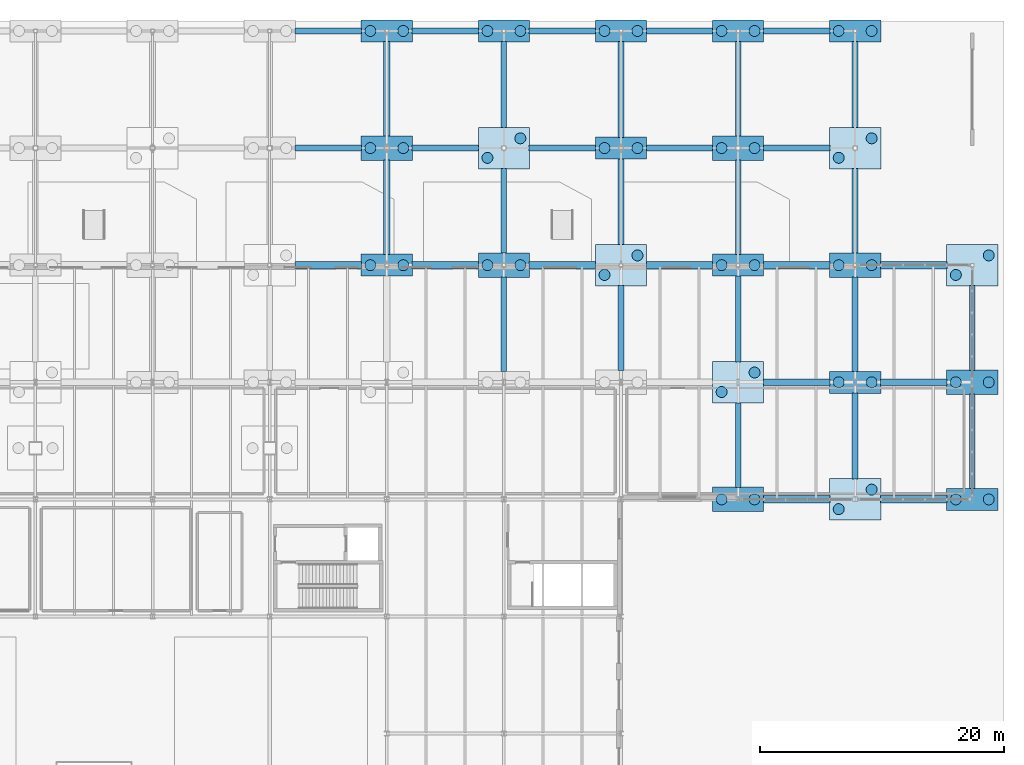
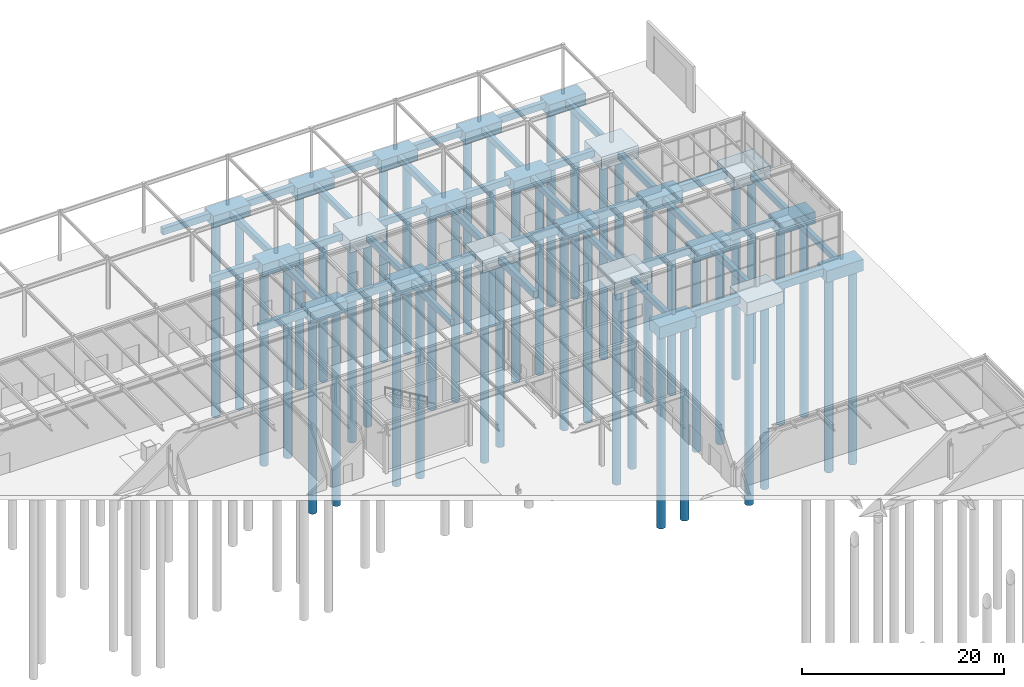
# One storey, part 5 of 142: 60 footings, 44 piles.
"""IFC4 building model written with IfcOpenShell, lengths in metres."""

from ifc_helpers import new_model, si_unit, direction, frame, origin, origin_2d, place, context, subcontext, project, spatial, rectangle, circle, extrude, material, material_profile, profile_set, type_object, element, save


model = new_model("IFC4")

# Units and contexts
model_context = context("Model", 3, precision=1e-05, world=origin(), true_north=direction((0.0, 1.0)))
body_context = subcontext(model_context, "Body", "Model", "MODEL_VIEW")
ifc_project = project(units=[si_unit("LENGTHUNIT", "METRE"), si_unit("AREAUNIT", "SQUARE_METRE"), si_unit("VOLUMEUNIT", "CUBIC_METRE"), si_unit("PLANEANGLEUNIT", "RADIAN"), si_unit("MASSUNIT", "GRAM", prefix="KILO")], contexts=[model_context])

# Site, building, storey
site_placement = place(None, origin())
site = spatial("IfcSite", under=ifc_project, at=site_placement, CompositionType="ELEMENT")
building_placement = place(site_placement, origin())
building = spatial("IfcBuilding", under=site, at=building_placement, Name="Coralgate Yard Interchange", CompositionType="ELEMENT")
storey_placement = place(building_placement, origin())
storey = spatial("IfcBuildingStorey", under=building, at=storey_placement, Name="L00", CompositionType="ELEMENT", Elevation=0.0)

# Footings
ifc_material_1 = material(Name="Concrete C40/50", Category="concrete")
ifc_material_profile_1 = material_profile(ifc_material_1, rectangle(XDim=0.60009765625, YDim=0.89990234375, at=origin_2d()), Name="RC 600x900")
ifc_profile_set_1 = profile_set([ifc_material_profile_1], Name="Concrete C40/50")
footing_type_1 = type_object("IfcFootingType", Name="FTG-GB-1", PredefinedType="FOOTING_BEAM", material=ifc_profile_set_1)
footing_1_placement = place(storey_placement, frame((126.8798828125, 96.0, -0.6298828125), z_axis=(1.0, 0.0, 0.0), x_axis=(0.0, 1.0, 0.0)))
element("IfcFooting", 1, at=footing_1_placement, inside=storey, type_object=footing_type_1, Name="Ground tie-beam X 13-10", PredefinedType="FOOTING_BEAM", context=body_context, shape_type="SweptSolid", body=[
    extrude(rectangle(XDim=0.60009765625, YDim=0.89990234375, at=origin_2d()), origin(), (0.0, 0.0, 1.0), 5.440185546875),
])
for number, where, z_axis, x_axis, name in (
    (2, (136.47998046875, 96.0, -0.6298828125), (1.0, 0.0, 0.0), (0.0, 1.0, 0.0), "Ground tie-beam X 14-10"),
    (3, (146.080078125, 96.0, -0.6298828125), (1.0, 0.0, 0.0), (0.0, 1.0, 0.0), "Ground tie-beam X 15-10"),
):
    element("IfcFooting", number, at=place(storey_placement, frame(where, z_axis=z_axis, x_axis=x_axis)), inside=storey, type_object=footing_type_1, Name=name, PredefinedType="FOOTING_BEAM", context=body_context, shape_type="SweptSolid", body=[
        extrude(rectangle(XDim=0.60009765625, YDim=0.89990234375, at=origin_2d()), origin(), (0.0, 0.0, 1.0), 5.43994140625),
    ])
footing_2_placement = place(storey_placement, frame((155.679931640625, 96.0, -0.6298828125), z_axis=(1.0, 0.0, 0.0), x_axis=(0.0, 1.0, 0.0)))
element("IfcFooting", 4, at=footing_2_placement, inside=storey, type_object=footing_type_1, Name="Ground tie-beam X 16-10", PredefinedType="FOOTING_BEAM", context=body_context, shape_type="SweptSolid", body=[
    extrude(rectangle(XDim=0.60009765625, YDim=0.89990234375, at=origin_2d()), origin(), (0.0, 0.0, 1.0), 5.440185546875),
])
for number, where, z_axis, x_axis, name in (
    (5, (165.280029296875, 76.800048828125, -0.800048828125), (1.0, 0.0, 0.0), (0.0, 1.0, 0.0), "Ground tie-beam X 17-8"),
    (6, (165.280029296875, 96.0, -0.6298828125), (1.0, 0.0, 0.0), (0.0, 1.0, 0.0), "Ground tie-beam X 17-10"),
):
    element("IfcFooting", number, at=place(storey_placement, frame(where, z_axis=z_axis, x_axis=x_axis)), inside=storey, type_object=footing_type_1, Name=name, PredefinedType="FOOTING_BEAM", context=body_context, shape_type="SweptSolid", body=[
        extrude(rectangle(XDim=0.60009765625, YDim=0.89990234375, at=origin_2d()), origin(), (0.0, 0.0, 1.0), 5.43994140625),
    ])
for number, where, z_axis, x_axis, name in (
    (7, (174.8798828125, 76.800048828125, -0.800048828125), (1.0, 0.0, 0.0), (0.0, 1.0, 0.0), "Ground tie-beam X 18-8"),
    (8, (174.8798828125, 96.0, -0.6298828125), (1.0, 0.0, 0.0), (0.0, 1.0, 0.0), "Ground tie-beam X 18-10"),
):
    element("IfcFooting", number, at=place(storey_placement, frame(where, z_axis=z_axis, x_axis=x_axis)), inside=storey, type_object=footing_type_1, Name=name, PredefinedType="FOOTING_BEAM", context=body_context, shape_type="SweptSolid", body=[
        extrude(rectangle(XDim=0.60009765625, YDim=0.89990234375, at=origin_2d()), origin(), (0.0, 0.0, 1.0), 5.440185546875),
    ])
ifc_material_profile_2 = material_profile(ifc_material_1, rectangle(XDim=0.5, YDim=0.800048828125, at=origin_2d()), Name="RC 500x800")
ifc_profile_set_2 = profile_set([ifc_material_profile_2], Name="Concrete C40/50")
footing_type_2 = type_object("IfcFootingType", Name="FTG-GB-2", PredefinedType="FOOTING_BEAM", material=ifc_profile_set_2)
for number, where, z_axis, x_axis, name in (
    (9, (126.8798828125, 105.60009765625, -0.580078125), (1.0, 0.0, 0.0), (0.0, 1.0, 0.0), "Ground tie-beam X 13-11"),
    (10, (126.8798828125, 115.199951171875, -0.580078125), (1.0, 0.0, 0.0), (0.0, 1.0, 0.0), "Ground tie-beam X 13-12"),
):
    element("IfcFooting", number, at=place(storey_placement, frame(where, z_axis=z_axis, x_axis=x_axis)), inside=storey, type_object=footing_type_2, Name=name, PredefinedType="FOOTING_BEAM", context=body_context, shape_type="SweptSolid", body=[
        extrude(rectangle(XDim=0.5, YDim=0.800048828125, at=origin_2d()), origin(), (0.0, 0.0, 1.0), 5.440185546875),
    ])
footing_3_placement = place(storey_placement, frame((134.39990234375, 96.8798828125, -0.580078125), z_axis=(0.0, 1.0, 0.0), x_axis=(-1.0, 0.0, 0.0)))
element("IfcFooting", 11, at=footing_3_placement, inside=storey, type_object=footing_type_2, Name="Ground tie-beam Y 14-10", PredefinedType="FOOTING_BEAM", context=body_context, shape_type="SweptSolid", body=[
    extrude(rectangle(XDim=0.5, YDim=0.800048828125, at=origin_2d()), origin(), (0.0, 0.0, 1.0), 7.740234375),
])
footing_4_placement = place(storey_placement, frame((136.47998046875, 105.60009765625, -0.580078125), z_axis=(1.0, 0.0, 0.0), x_axis=(0.0, 1.0, 0.0)))
element("IfcFooting", 12, at=footing_4_placement, inside=storey, type_object=footing_type_2, Name="Ground tie-beam X 14-11", PredefinedType="FOOTING_BEAM", context=body_context, shape_type="SweptSolid", body=[
    extrude(rectangle(XDim=0.5, YDim=0.800048828125, at=origin_2d()), origin(), (0.0, 0.0, 1.0), 5.43994140625),
])
footing_5_placement = place(storey_placement, frame((134.39990234375, 106.580078125, -0.580078125), z_axis=(0.0, 1.0, 0.0), x_axis=(-1.0, 0.0, 0.0)))
element("IfcFooting", 13, at=footing_5_placement, inside=storey, type_object=footing_type_2, Name="Ground tie-beam Y 14-11", PredefinedType="FOOTING_BEAM", context=body_context, shape_type="SweptSolid", body=[
    extrude(rectangle(XDim=0.5, YDim=0.800048828125, at=origin_2d()), origin(), (0.0, 0.0, 1.0), 7.739990234375),
])
for number, where, z_axis, x_axis, name in (
    (14, (136.47998046875, 115.199951171875, -0.580078125), (1.0, 0.0, 0.0), (0.0, 1.0, 0.0), "Ground tie-beam X 14-12"),
    (15, (146.080078125, 105.60009765625, -0.580078125), (1.0, 0.0, 0.0), (0.0, 1.0, 0.0), "Ground tie-beam X 15-11"),
    (16, (146.080078125, 115.199951171875, -0.580078125), (1.0, 0.0, 0.0), (0.0, 1.0, 0.0), "Ground tie-beam X 15-12"),
):
    element("IfcFooting", number, at=place(storey_placement, frame(where, z_axis=z_axis, x_axis=x_axis)), inside=storey, type_object=footing_type_2, Name=name, PredefinedType="FOOTING_BEAM", context=body_context, shape_type="SweptSolid", body=[
        extrude(rectangle(XDim=0.5, YDim=0.800048828125, at=origin_2d()), origin(), (0.0, 0.0, 1.0), 5.43994140625),
    ])
footing_6_placement = place(storey_placement, frame((153.60009765625, 87.3798828125, -0.75), z_axis=(0.0, 1.0, 0.0), x_axis=(-1.0, 0.0, 0.0)))
element("IfcFooting", 17, at=footing_6_placement, inside=storey, type_object=footing_type_2, Name="Ground tie-beam Y 16-9", PredefinedType="FOOTING_BEAM", context=body_context, shape_type="SweptSolid", body=[
    extrude(rectangle(XDim=0.5, YDim=0.800048828125, at=origin_2d()), origin(), (0.0, 0.0, 1.0), 6.940185546875),
])
footing_7_placement = place(storey_placement, frame((153.60009765625, 97.679931640625, -0.580078125), z_axis=(0.0, 1.0, 0.0), x_axis=(-1.0, 0.0, 0.0)))
element("IfcFooting", 18, at=footing_7_placement, inside=storey, type_object=footing_type_2, Name="Ground tie-beam Y 16-10", PredefinedType="FOOTING_BEAM", context=body_context, shape_type="SweptSolid", body=[
    extrude(rectangle(XDim=0.5, YDim=0.800048828125, at=origin_2d()), origin(), (0.0, 0.0, 1.0), 7.0400390625),
])
footing_8_placement = place(storey_placement, frame((155.679931640625, 105.60009765625, -0.580078125), z_axis=(1.0, 0.0, 0.0), x_axis=(0.0, 1.0, 0.0)))
element("IfcFooting", 19, at=footing_8_placement, inside=storey, type_object=footing_type_2, Name="Ground tie-beam X 16-11", PredefinedType="FOOTING_BEAM", context=body_context, shape_type="SweptSolid", body=[
    extrude(rectangle(XDim=0.5, YDim=0.800048828125, at=origin_2d()), origin(), (0.0, 0.0, 1.0), 5.440185546875),
])
footing_9_placement = place(storey_placement, frame((153.60009765625, 106.47998046875, -0.580078125), z_axis=(0.0, 1.0, 0.0), x_axis=(-1.0, 0.0, 0.0)))
element("IfcFooting", 20, at=footing_9_placement, inside=storey, type_object=footing_type_2, Name="Ground tie-beam Y 16-11", PredefinedType="FOOTING_BEAM", context=body_context, shape_type="SweptSolid", body=[
    extrude(rectangle(XDim=0.5, YDim=0.800048828125, at=origin_2d()), origin(), (0.0, 0.0, 1.0), 7.840087890625),
])
footing_10_placement = place(storey_placement, frame((155.679931640625, 115.199951171875, -0.580078125), z_axis=(1.0, 0.0, 0.0), x_axis=(0.0, 1.0, 0.0)))
element("IfcFooting", 21, at=footing_10_placement, inside=storey, type_object=footing_type_2, Name="Ground tie-beam X 16-12", PredefinedType="FOOTING_BEAM", context=body_context, shape_type="SweptSolid", body=[
    extrude(rectangle(XDim=0.5, YDim=0.800048828125, at=origin_2d()), origin(), (0.0, 0.0, 1.0), 5.440185546875),
])
for number, where, z_axis, x_axis, name in (
    (22, (165.280029296875, 86.39990234375, -0.75), (1.0, 0.0, 0.0), (0.0, 1.0, 0.0), "Ground tie-beam X 17-9"),
    (23, (165.280029296875, 105.60009765625, -0.580078125), (1.0, 0.0, 0.0), (0.0, 1.0, 0.0), "Ground tie-beam X 17-11"),
    (24, (165.280029296875, 115.199951171875, -0.580078125), (1.0, 0.0, 0.0), (0.0, 1.0, 0.0), "Ground tie-beam X 17-12"),
):
    element("IfcFooting", number, at=place(storey_placement, frame(where, z_axis=z_axis, x_axis=x_axis)), inside=storey, type_object=footing_type_2, Name=name, PredefinedType="FOOTING_BEAM", context=body_context, shape_type="SweptSolid", body=[
        extrude(rectangle(XDim=0.5, YDim=0.800048828125, at=origin_2d()), origin(), (0.0, 0.0, 1.0), 5.43994140625),
    ])
footing_11_placement = place(storey_placement, frame((172.800048828125, 78.47998046875, -0.75), z_axis=(0.0, 1.0, 0.0), x_axis=(-1.0, 0.0, 0.0)))
element("IfcFooting", 25, at=footing_11_placement, inside=storey, type_object=footing_type_2, Name="Ground tie-beam Y 18-8", PredefinedType="FOOTING_BEAM", context=body_context, shape_type="SweptSolid", body=[
    extrude(rectangle(XDim=0.5, YDim=0.800048828125, at=origin_2d()), origin(), (0.0, 0.0, 1.0), 7.0400390625),
])
footing_12_placement = place(storey_placement, frame((174.8798828125, 86.39990234375, -0.75), z_axis=(1.0, 0.0, 0.0), x_axis=(0.0, 1.0, 0.0)))
element("IfcFooting", 26, at=footing_12_placement, inside=storey, type_object=footing_type_2, Name="Ground tie-beam X 18-9", PredefinedType="FOOTING_BEAM", context=body_context, shape_type="SweptSolid", body=[
    extrude(rectangle(XDim=0.5, YDim=0.800048828125, at=origin_2d()), origin(), (0.0, 0.0, 1.0), 5.440185546875),
])
footing_13_placement = place(storey_placement, frame((172.800048828125, 87.280029296875, -0.75), z_axis=(0.0, 1.0, 0.0), x_axis=(-1.0, 0.0, 0.0)))
element("IfcFooting", 27, at=footing_13_placement, inside=storey, type_object=footing_type_2, Name="Ground tie-beam Y 18-9", PredefinedType="FOOTING_BEAM", context=body_context, shape_type="SweptSolid", body=[
    extrude(rectangle(XDim=0.5, YDim=0.800048828125, at=origin_2d()), origin(), (0.0, 0.0, 1.0), 7.739990234375),
])
footing_14_placement = place(storey_placement, frame((172.800048828125, 96.97998046875, -0.580078125), z_axis=(0.0, 1.0, 0.0), x_axis=(-1.0, 0.0, 0.0)))
element("IfcFooting", 28, at=footing_14_placement, inside=storey, type_object=footing_type_2, Name="Ground tie-beam Y 18-10", PredefinedType="FOOTING_BEAM", context=body_context, shape_type="SweptSolid", body=[
    extrude(rectangle(XDim=0.5, YDim=0.800048828125, at=origin_2d()), origin(), (0.0, 0.0, 1.0), 6.93994140625),
])
footing_15_placement = place(storey_placement, frame((172.800048828125, 107.280029296875, -0.580078125), z_axis=(0.0, 1.0, 0.0), x_axis=(-1.0, 0.0, 0.0)))
element("IfcFooting", 29, at=footing_15_placement, inside=storey, type_object=footing_type_2, Name="Ground tie-beam Y 18-11", PredefinedType="FOOTING_BEAM", context=body_context, shape_type="SweptSolid", body=[
    extrude(rectangle(XDim=0.5, YDim=0.800048828125, at=origin_2d()), origin(), (0.0, 0.0, 1.0), 7.0400390625),
])
ifc_material_profile_3 = material_profile(ifc_material_1, rectangle(XDim=0.449951171875, YDim=0.699951171875, at=origin_2d()), Name="RC 450x700")
ifc_profile_set_3 = profile_set([ifc_material_profile_3], Name="Concrete C40/50")
footing_type_3 = type_object("IfcFootingType", Name="FTG-GB-3", PredefinedType="FOOTING_BEAM", material=ifc_profile_set_3)
footing_16_placement = place(storey_placement, frame((144.0, 87.280029296875, -0.699951171875), z_axis=(0.0, 1.0, 0.0), x_axis=(-1.0, 0.0, 0.0)))
element("IfcFooting", 30, at=footing_16_placement, inside=storey, type_object=footing_type_3, Name="Ground tie-beam Y 15-9", PredefinedType="FOOTING_BEAM", context=body_context, shape_type="SweptSolid", body=[
    extrude(rectangle(XDim=0.449951171875, YDim=0.699951171875, at=origin_2d()), origin(), (0.0, 0.0, 1.0), 7.739990234375),
])
footing_17_placement = place(storey_placement, frame((144.0, 96.97998046875, -0.530029296875), z_axis=(0.0, 1.0, 0.0), x_axis=(-1.0, 0.0, 0.0)))
element("IfcFooting", 31, at=footing_17_placement, inside=storey, type_object=footing_type_3, Name="Ground tie-beam Y 15-10", PredefinedType="FOOTING_BEAM", context=body_context, shape_type="SweptSolid", body=[
    extrude(rectangle(XDim=0.449951171875, YDim=0.699951171875, at=origin_2d()), origin(), (0.0, 0.0, 1.0), 6.93994140625),
])
footing_18_placement = place(storey_placement, frame((144.0, 107.280029296875, -0.530029296875), z_axis=(0.0, 1.0, 0.0), x_axis=(-1.0, 0.0, 0.0)))
element("IfcFooting", 32, at=footing_18_placement, inside=storey, type_object=footing_type_3, Name="Ground tie-beam Y 15-11", PredefinedType="FOOTING_BEAM", context=body_context, shape_type="SweptSolid", body=[
    extrude(rectangle(XDim=0.449951171875, YDim=0.699951171875, at=origin_2d()), origin(), (0.0, 0.0, 1.0), 7.0400390625),
])
footing_19_placement = place(storey_placement, frame((163.199951171875, 77.780029296875, -0.699951171875), z_axis=(0.0, 1.0, 0.0), x_axis=(-1.0, 0.0, 0.0)))
element("IfcFooting", 33, at=footing_19_placement, inside=storey, type_object=footing_type_3, Name="Ground tie-beam Y 17-8", PredefinedType="FOOTING_BEAM", context=body_context, shape_type="SweptSolid", body=[
    extrude(rectangle(XDim=0.449951171875, YDim=0.699951171875, at=origin_2d()), origin(), (0.0, 0.0, 1.0), 6.93994140625),
])
footing_20_placement = place(storey_placement, frame((163.199951171875, 88.080078125, -0.699951171875), z_axis=(0.0, 1.0, 0.0), x_axis=(-1.0, 0.0, 0.0)))
element("IfcFooting", 34, at=footing_20_placement, inside=storey, type_object=footing_type_3, Name="Ground tie-beam Y 17-9", PredefinedType="FOOTING_BEAM", context=body_context, shape_type="SweptSolid", body=[
    extrude(rectangle(XDim=0.449951171875, YDim=0.699951171875, at=origin_2d()), origin(), (0.0, 0.0, 1.0), 7.0400390625),
])
footing_21_placement = place(storey_placement, frame((163.199951171875, 96.8798828125, -0.530029296875), z_axis=(0.0, 1.0, 0.0), x_axis=(-1.0, 0.0, 0.0)))
element("IfcFooting", 35, at=footing_21_placement, inside=storey, type_object=footing_type_3, Name="Ground tie-beam Y 17-10", PredefinedType="FOOTING_BEAM", context=body_context, shape_type="SweptSolid", body=[
    extrude(rectangle(XDim=0.449951171875, YDim=0.699951171875, at=origin_2d()), origin(), (0.0, 0.0, 1.0), 7.740234375),
])
for number, where, z_axis, x_axis, name in (
    (36, (163.199951171875, 106.580078125, -0.530029296875), (0.0, 1.0, 0.0), (-1.0, 0.0, 0.0), "Ground tie-beam Y 17-11"),
    (37, (182.39990234375, 77.679931640625, -0.699951171875), (0.0, 1.0, 0.0), (-1.0, 0.0, 0.0), "Ground tie-beam Y 19-8"),
):
    element("IfcFooting", number, at=place(storey_placement, frame(where, z_axis=z_axis, x_axis=x_axis)), inside=storey, type_object=footing_type_3, Name=name, PredefinedType="FOOTING_BEAM", context=body_context, shape_type="SweptSolid", body=[
        extrude(rectangle(XDim=0.449951171875, YDim=0.699951171875, at=origin_2d()), origin(), (0.0, 0.0, 1.0), 7.739990234375),
    ])
footing_22_placement = place(storey_placement, frame((182.39990234375, 87.3798828125, -0.699951171875), z_axis=(0.0, 1.0, 0.0), x_axis=(-1.0, 0.0, 0.0)))
element("IfcFooting", 38, at=footing_22_placement, inside=storey, type_object=footing_type_3, Name="Ground tie-beam Y 19-9", PredefinedType="FOOTING_BEAM", context=body_context, shape_type="SweptSolid", body=[
    extrude(rectangle(XDim=0.449951171875, YDim=0.699951171875, at=origin_2d()), origin(), (0.0, 0.0, 1.0), 6.940185546875),
])
footing_type_4 = type_object("IfcFootingType", Name="FTG-PC-2A", PredefinedType="PILE_CAP", material=ifc_material_1)
for number, where, z_axis, x_axis, name in (
    (39, (134.39990234375, 96.0, -1.579833984375), (0.0, 0.0, 1.0), (1.0, 0.0, 0.0), "Pile cap 14-10"),
    (40, (134.39990234375, 115.199951171875, -1.579833984375), (0.0, 0.0, 1.0), (1.0, 0.0, 0.0), "Pile cap 14-12"),
    (41, (144.0, 115.199951171875, -1.579833984375), (0.0, 0.0, 1.0), (1.0, 0.0, 0.0), "Pile cap 15-12"),
    (42, (153.60009765625, 105.60009765625, -1.579833984375), (0.0, 0.0, 1.0), (1.0, 0.0, 0.0), "Pile cap 16-11"),
    (43, (153.60009765625, 115.199951171875, -1.579833984375), (0.0, 0.0, 1.0), (1.0, 0.0, 0.0), "Pile cap 16-12"),
    (44, (163.199951171875, 96.0, -1.579833984375), (0.0, 0.0, 1.0), (1.0, 0.0, 0.0), "Pile cap 17-10"),
    (45, (163.199951171875, 115.199951171875, -1.579833984375), (0.0, 0.0, 1.0), (1.0, 0.0, 0.0), "Pile cap 17-12"),
    (46, (172.800048828125, 86.39990234375, -1.75), (0.0, 0.0, 1.0), (1.0, 0.0, 0.0), "Pile cap 18-9"),
    (47, (172.800048828125, 115.199951171875, -1.579833984375), (0.0, 0.0, 1.0), (1.0, 0.0, 0.0), "Pile cap 18-12"),
    (48, (182.39990234375, 76.800048828125, -1.75), (0.0, 0.0, 1.0), (1.0, 0.0, 0.0), "Pile cap 19-8"),
):
    element("IfcFooting", number, at=place(storey_placement, frame(where, z_axis=z_axis, x_axis=x_axis)), inside=storey, type_object=footing_type_4, Name=name, PredefinedType="PILE_CAP", context=body_context, shape_type="SweptSolid", body=[
        extrude(rectangle(XDim=4.199951171875, YDim=1.800048828125, at=origin_2d()), origin(), (0.0, 0.0, 1.0), 1.39990234375),
    ])
footing_type_5 = type_object("IfcFootingType", Name="FTG-PC-2B", PredefinedType="PILE_CAP", material=ifc_material_1)
for number, where, z_axis, x_axis, name in (
    (49, (134.39990234375, 105.60009765625, -1.6298828125), (0.0, 0.0, 1.0), (1.0, 0.0, 0.0), "Pile cap 14-11"),
    (50, (144.0, 96.0, -1.6298828125), (0.0, 0.0, 1.0), (1.0, 0.0, 0.0), "Pile cap 15-10"),
    (51, (163.199951171875, 76.800048828125, -1.7998046875), (0.0, 0.0, 1.0), (1.0, 0.0, 0.0), "Pile cap 17-8"),
    (52, (163.199951171875, 105.60009765625, -1.6298828125), (0.0, 0.0, 1.0), (1.0, 0.0, 0.0), "Pile cap 17-11"),
    (53, (172.800048828125, 96.0, -1.6298828125), (0.0, 0.0, 1.0), (1.0, 0.0, 0.0), "Pile cap 18-10"),
    (54, (182.39990234375, 86.39990234375, -1.7998046875), (0.0, 0.0, 1.0), (1.0, 0.0, 0.0), "Pile cap 19-9"),
):
    element("IfcFooting", number, at=place(storey_placement, frame(where, z_axis=z_axis, x_axis=x_axis)), inside=storey, type_object=footing_type_5, Name=name, PredefinedType="PILE_CAP", context=body_context, shape_type="SweptSolid", body=[
        extrude(rectangle(XDim=4.199951171875, YDim=2.0, at=origin_2d()), origin(), (0.0, 0.0, 1.0), 1.449951171875),
    ])
footing_type_6 = type_object("IfcFootingType", Name="FTG-PC-3A", PredefinedType="PILE_CAP", material=ifc_material_1)
for number, where, z_axis, x_axis, name in (
    (55, (144.0, 105.60009765625, -1.679931640625), (0.0, 0.0, 1.0), (1.0, 0.0, 0.0), "Pile cap 15-11"),
    (56, (153.60009765625, 96.0, -1.679931640625), (0.0, 0.0, 1.0), (1.0, 0.0, 0.0), "Pile cap 16-10"),
    (57, (163.199951171875, 86.39990234375, -1.85009765625), (0.0, 0.0, 1.0), (1.0, 0.0, 0.0), "Pile cap 17-9"),
    (58, (172.800048828125, 76.800048828125, -1.85009765625), (0.0, 0.0, 1.0), (1.0, 0.0, 0.0), "Pile cap 18-8"),
    (59, (172.800048828125, 105.60009765625, -1.679931640625), (0.0, 0.0, 1.0), (1.0, 0.0, 0.0), "Pile cap 18-11"),
    (60, (182.39990234375, 96.0, -1.679931640625), (0.0, 0.0, 1.0), (1.0, 0.0, 0.0), "Pile cap 19-10"),
):
    element("IfcFooting", number, at=place(storey_placement, frame(where, z_axis=z_axis, x_axis=x_axis)), inside=storey, type_object=footing_type_6, Name=name, PredefinedType="PILE_CAP", context=body_context, shape_type="SweptSolid", body=[
        extrude(rectangle(XDim=4.199951171875, YDim=3.39990234375, at=origin_2d()), origin(), (0.0, 0.0, 1.0), 1.5),
    ])

# Piles
ifc_material_2 = material(Name="Concrete C35/45", Category="concrete")
ifc_material_profile_4 = material_profile(ifc_material_2, circle(Radius=0.449951171875, at=origin_2d()), Name="BORED PILE D900")
ifc_profile_set_4 = profile_set([ifc_material_profile_4], Name="Concrete C35/45")
pile_type = type_object("IfcPileType", Name="PILE-P-900", PredefinedType="BORED", material=ifc_profile_set_4)
for number, where, z_axis, x_axis, name in (
    (61, (133.050048828125, 96.0, -1.47998046875), (0.0, 0.0, -1.0), (1.0, 0.0, 0.0), "Bored pile 14-10-1"),
    (62, (135.75, 96.0, -1.47998046875), (0.0, 0.0, -1.0), (1.0, 0.0, 0.0), "Bored pile 14-10-2"),
    (63, (133.050048828125, 105.60009765625, -1.530029296875), (0.0, 0.0, -1.0), (1.0, 0.0, 0.0), "Bored pile 14-11-1"),
    (64, (135.75, 105.60009765625, -1.530029296875), (0.0, 0.0, -1.0), (1.0, 0.0, 0.0), "Bored pile 14-11-2"),
    (65, (133.050048828125, 115.199951171875, -1.47998046875), (0.0, 0.0, -1.0), (1.0, 0.0, 0.0), "Bored pile 14-12-1"),
    (66, (135.75, 115.199951171875, -1.47998046875), (0.0, 0.0, -1.0), (1.0, 0.0, 0.0), "Bored pile 14-12-2"),
    (67, (142.64990234375, 96.0, -1.530029296875), (0.0, 0.0, -1.0), (1.0, 0.0, 0.0), "Bored pile 15-10-1"),
    (68, (145.35009765625, 96.0, -1.530029296875), (0.0, 0.0, -1.0), (1.0, 0.0, 0.0), "Bored pile 15-10-2"),
    (69, (142.64990234375, 104.800048828125, -1.580078125), (0.0, 0.0, -1.0), (1.0, 0.0, 0.0), "Bored pile 15-11-1"),
    (70, (145.35009765625, 106.39990234375, -1.580078125), (0.0, 0.0, -1.0), (1.0, 0.0, 0.0), "Bored pile 15-11-2"),
    (71, (142.64990234375, 115.199951171875, -1.47998046875), (0.0, 0.0, -1.0), (1.0, 0.0, 0.0), "Bored pile 15-12-1"),
    (72, (145.35009765625, 115.199951171875, -1.47998046875), (0.0, 0.0, -1.0), (1.0, 0.0, 0.0), "Bored pile 15-12-2"),
    (73, (152.25, 95.199951171875, -1.580078125), (0.0, 0.0, -1.0), (1.0, 0.0, 0.0), "Bored pile 16-10-1"),
    (74, (154.949951171875, 96.800048828125, -1.580078125), (0.0, 0.0, -1.0), (1.0, 0.0, 0.0), "Bored pile 16-10-2"),
    (75, (152.25, 105.60009765625, -1.47998046875), (0.0, 0.0, -1.0), (1.0, 0.0, 0.0), "Bored pile 16-11-1"),
    (76, (154.949951171875, 105.60009765625, -1.47998046875), (0.0, 0.0, -1.0), (1.0, 0.0, 0.0), "Bored pile 16-11-2"),
    (77, (152.25, 115.199951171875, -1.47998046875), (0.0, 0.0, -1.0), (1.0, 0.0, 0.0), "Bored pile 16-12-1"),
    (78, (154.949951171875, 115.199951171875, -1.47998046875), (0.0, 0.0, -1.0), (1.0, 0.0, 0.0), "Bored pile 16-12-2"),
    (79, (161.85009765625, 76.800048828125, -1.699951171875), (0.0, 0.0, -1.0), (1.0, 0.0, 0.0), "Bored pile 17-8-1"),
    (80, (164.550048828125, 76.800048828125, -1.699951171875), (0.0, 0.0, -1.0), (1.0, 0.0, 0.0), "Bored pile 17-8-2"),
    (81, (161.85009765625, 85.60009765625, -1.75), (0.0, 0.0, -1.0), (1.0, 0.0, 0.0), "Bored pile 17-9-1"),
    (82, (164.550048828125, 87.199951171875, -1.75), (0.0, 0.0, -1.0), (1.0, 0.0, 0.0), "Bored pile 17-9-2"),
    (83, (161.85009765625, 96.0, -1.47998046875), (0.0, 0.0, -1.0), (1.0, 0.0, 0.0), "Bored pile 17-10-1"),
    (84, (164.550048828125, 96.0, -1.47998046875), (0.0, 0.0, -1.0), (1.0, 0.0, 0.0), "Bored pile 17-10-2"),
    (85, (161.85009765625, 105.60009765625, -1.530029296875), (0.0, 0.0, -1.0), (1.0, 0.0, 0.0), "Bored pile 17-11-1"),
    (86, (164.550048828125, 105.60009765625, -1.530029296875), (0.0, 0.0, -1.0), (1.0, 0.0, 0.0), "Bored pile 17-11-2"),
    (87, (161.85009765625, 115.199951171875, -1.47998046875), (0.0, 0.0, -1.0), (1.0, 0.0, 0.0), "Bored pile 17-12-1"),
    (88, (164.550048828125, 115.199951171875, -1.47998046875), (0.0, 0.0, -1.0), (1.0, 0.0, 0.0), "Bored pile 17-12-2"),
    (89, (171.449951171875, 76.0, -1.75), (0.0, 0.0, -1.0), (1.0, 0.0, 0.0), "Bored pile 18-8-1"),
    (90, (174.14990234375, 77.60009765625, -1.75), (0.0, 0.0, -1.0), (1.0, 0.0, 0.0), "Bored pile 18-8-2"),
    (91, (171.449951171875, 86.39990234375, -1.64990234375), (0.0, 0.0, -1.0), (1.0, 0.0, 0.0), "Bored pile 18-9-1"),
    (92, (174.14990234375, 86.39990234375, -1.64990234375), (0.0, 0.0, -1.0), (1.0, 0.0, 0.0), "Bored pile 18-9-2"),
    (93, (171.449951171875, 96.0, -1.530029296875), (0.0, 0.0, -1.0), (1.0, 0.0, 0.0), "Bored pile 18-10-1"),
    (94, (174.14990234375, 96.0, -1.530029296875), (0.0, 0.0, -1.0), (1.0, 0.0, 0.0), "Bored pile 18-10-2"),
    (95, (171.449951171875, 104.800048828125, -1.580078125), (0.0, 0.0, -1.0), (1.0, 0.0, 0.0), "Bored pile 18-11-1"),
    (96, (174.14990234375, 106.39990234375, -1.580078125), (0.0, 0.0, -1.0), (1.0, 0.0, 0.0), "Bored pile 18-11-2"),
    (97, (171.449951171875, 115.199951171875, -1.47998046875), (0.0, 0.0, -1.0), (1.0, 0.0, 0.0), "Bored pile 18-12-1"),
    (98, (174.14990234375, 115.199951171875, -1.47998046875), (0.0, 0.0, -1.0), (1.0, 0.0, 0.0), "Bored pile 18-12-2"),
    (99, (181.050048828125, 76.800048828125, -1.64990234375), (0.0, 0.0, -1.0), (1.0, 0.0, 0.0), "Bored pile 19-8-1"),
    (100, (183.75, 76.800048828125, -1.64990234375), (0.0, 0.0, -1.0), (1.0, 0.0, 0.0), "Bored pile 19-8-2"),
    (101, (181.050048828125, 86.39990234375, -1.699951171875), (0.0, 0.0, -1.0), (1.0, 0.0, 0.0), "Bored pile 19-9-1"),
    (102, (183.75, 86.39990234375, -1.699951171875), (0.0, 0.0, -1.0), (1.0, 0.0, 0.0), "Bored pile 19-9-2"),
    (103, (181.050048828125, 95.199951171875, -1.580078125), (0.0, 0.0, -1.0), (1.0, 0.0, 0.0), "Bored pile 19-10-1"),
    (104, (183.75, 96.800048828125, -1.580078125), (0.0, 0.0, -1.0), (1.0, 0.0, 0.0), "Bored pile 19-10-2"),
):
    element("IfcPile", number, at=place(storey_placement, frame(where, z_axis=z_axis, x_axis=x_axis)), inside=storey, type_object=pile_type, Name=name, PredefinedType="BORED", context=body_context, shape_type="SweptSolid", body=[
        extrude(circle(Radius=0.449951171875, at=origin_2d()), origin(), (0.0, 0.0, 1.0), 23.60009765625),
    ])

save(model, "model.ifc")
